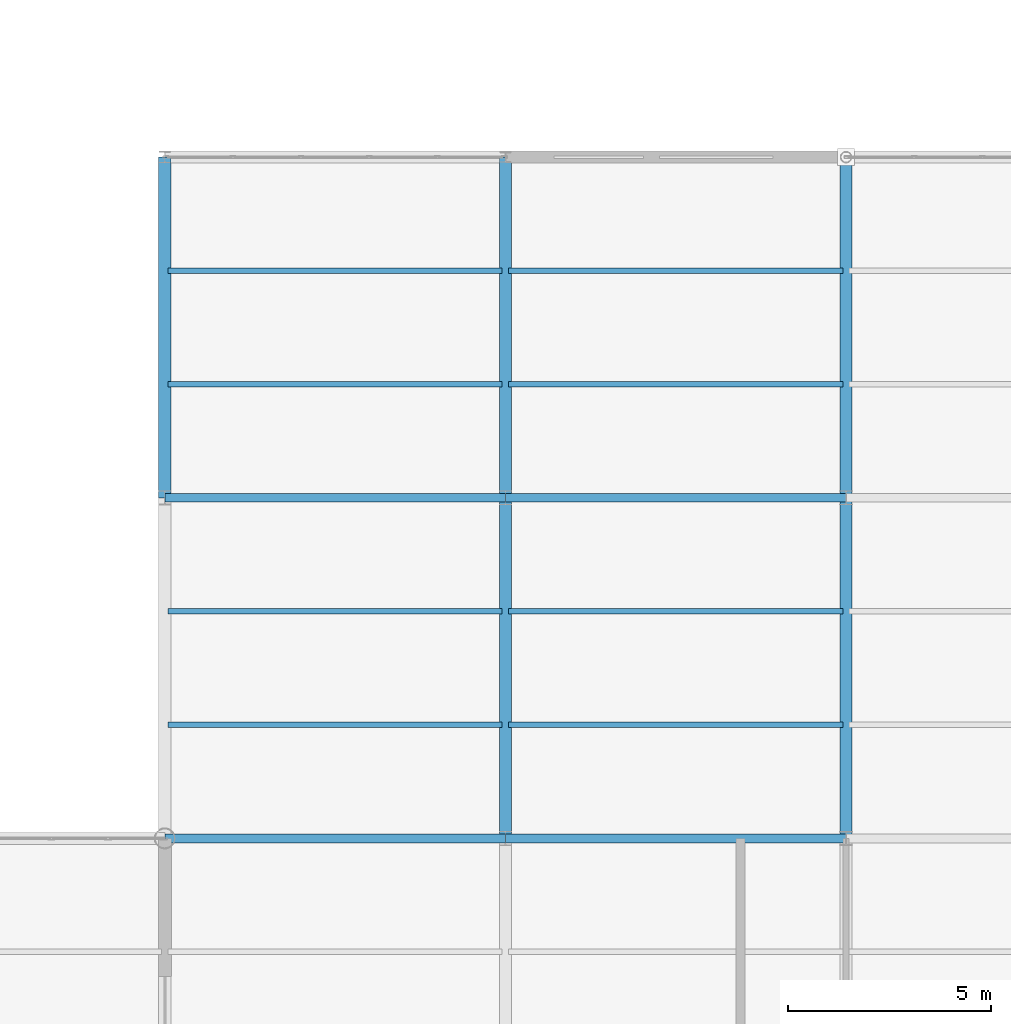
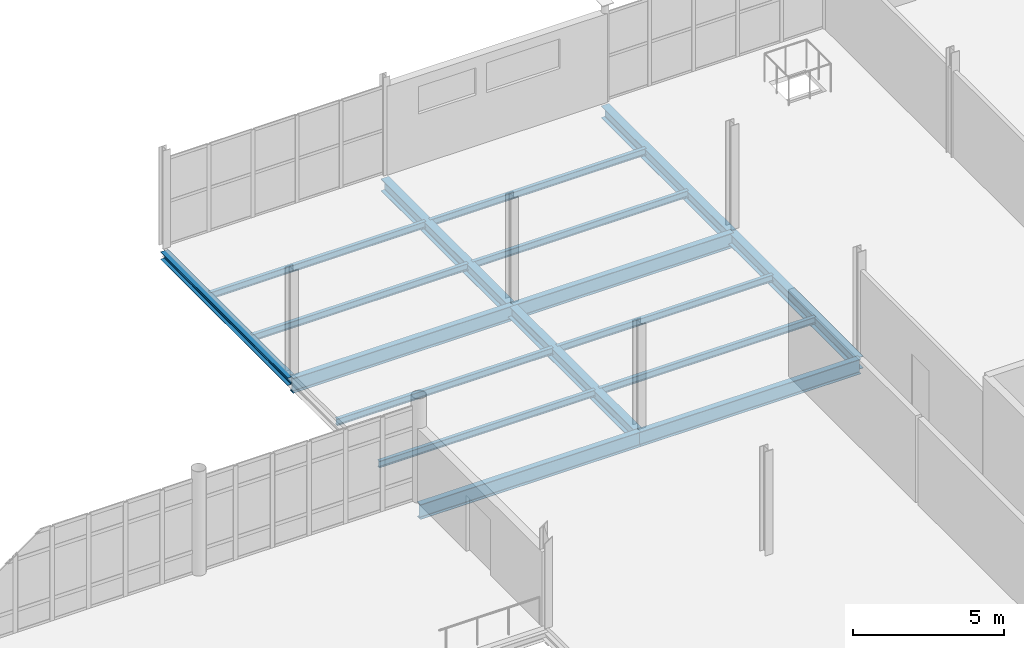
# One storey, part 72 of 163: 17 beams.
"""IFC4 building model written with IfcOpenShell, lengths in metres."""

from ifc_helpers import new_model, si_unit, direction, frame, origin, origin_2d, place, context, subcontext, project, spatial, i_section, extrude, material, material_profile, profile_set, type_object, element, save


model = new_model("IFC4")

# Units and contexts
model_context = context("Model", 3, precision=1e-05, world=origin(), true_north=direction((0.0, 1.0)))
body_context = subcontext(model_context, "Body", "Model", "MODEL_VIEW")
ifc_project = project(units=[si_unit("LENGTHUNIT", "METRE"), si_unit("AREAUNIT", "SQUARE_METRE"), si_unit("VOLUMEUNIT", "CUBIC_METRE"), si_unit("PLANEANGLEUNIT", "RADIAN"), si_unit("MASSUNIT", "GRAM", prefix="KILO")], contexts=[model_context])

# Site, building, storey
site_placement = place(None, origin())
site = spatial("IfcSite", under=ifc_project, at=site_placement, CompositionType="ELEMENT")
building_placement = place(site_placement, origin())
building = spatial("IfcBuilding", under=site, at=building_placement, Name="Qalvenar Corner Mobility Hub", CompositionType="ELEMENT")
storey_placement = place(building_placement, frame((0.0, 0.0, 4.800048828125)))
storey = spatial("IfcBuildingStorey", under=building, at=storey_placement, Name="L01", CompositionType="ELEMENT", Elevation=4.800048828125)

# Beams
ifc_material = material(Name="Steel S355", Category="steel")
ifc_material_profile_1 = material_profile(ifc_material, i_section(OverallWidth=0.300048828125, OverallDepth=0.489990234375, WebThickness=0.011962890625, FlangeThickness=0.02294921875, FilletRadius=0.027099609375, at=origin_2d()), Name="HEA500")
ifc_profile_set_1 = profile_set([ifc_material_profile_1], Name="Steel S355")
beam_type_1 = type_object("IfcBeamType", Name="BM-HEA500", PredefinedType="BEAM", material=ifc_profile_set_1)
for number, where, z_axis, x_axis, name in (
    (1, (117.60009765625, 33.60009765625, -0.425048828125), (0.0, 1.0, 0.0), (-1.0, 0.0, 0.0), "Primary Steel Girder GY-1036"),
    (2, (117.60009765625, 42.0, -0.425048828125), (0.0, 1.0, 0.0), (-1.0, 0.0, 0.0), "Primary Steel Girder GY-1037"),
    (3, (126.0, 33.60009765625, -0.425048828125), (0.0, 1.0, 0.0), (-1.0, 0.0, 0.0), "Primary Steel Girder GY-1042"),
    (4, (126.0, 42.0, -0.425048828125), (0.0, 1.0, 0.0), (-1.0, 0.0, 0.0), "Primary Steel Girder GY-1043"),
):
    element("IfcBeam", number, at=place(storey_placement, frame(where, z_axis=z_axis, x_axis=x_axis)), inside=storey, type_object=beam_type_1, Name=name, PredefinedType="BEAM", context=body_context, shape_type="SweptSolid", body=[
        extrude(i_section(OverallWidth=0.300048828125, OverallDepth=0.489990234375, WebThickness=0.011962890625, FlangeThickness=0.02294921875, FilletRadius=0.027099609375, at=origin_2d()), origin(), (0.0, 0.0, 1.0), 8.39990234375),
    ])
ifc_material_profile_2 = material_profile(ifc_material, i_section(OverallWidth=0.219970703125, OverallDepth=0.60009765625, WebThickness=0.011962890625, FlangeThickness=0.01904296875, FilletRadius=0.02392578125, at=origin_2d()), Name="IPE600")
ifc_profile_set_2 = profile_set([ifc_material_profile_2], Name="Steel S355")
beam_type_2 = type_object("IfcBeamType", Name="BM-IPE600", PredefinedType="BEAM", material=ifc_profile_set_2)
beam_1_placement = place(storey_placement, frame((109.199951171875, 33.60009765625, -0.47998046875), z_axis=(1.0, 0.0, 0.0), x_axis=(0.0, 1.0, 0.0)))
element("IfcBeam", 5, at=beam_1_placement, inside=storey, type_object=beam_type_2, Name="Primary Steel Girder GX-1006", PredefinedType="BEAM", context=body_context, shape_type="SweptSolid", body=[
    extrude(i_section(OverallWidth=0.219970703125, OverallDepth=0.60009765625, WebThickness=0.011962890625, FlangeThickness=0.01904296875, FilletRadius=0.02392578125, at=origin_2d()), origin(), (0.0, 0.0, 1.0), 8.400146484375),
])
beam_2_placement = place(storey_placement, frame((117.60009765625, 33.60009765625, -0.47998046875), z_axis=(1.0, 0.0, 0.0), x_axis=(0.0, 1.0, 0.0)))
element("IfcBeam", 6, at=beam_2_placement, inside=storey, type_object=beam_type_2, Name="Primary Steel Girder GX-1007", PredefinedType="BEAM", context=body_context, shape_type="SweptSolid", body=[
    extrude(i_section(OverallWidth=0.219970703125, OverallDepth=0.60009765625, WebThickness=0.011962890625, FlangeThickness=0.01904296875, FilletRadius=0.02392578125, at=origin_2d()), origin(), (0.0, 0.0, 1.0), 8.39990234375),
])
beam_3_placement = place(storey_placement, frame((109.199951171875, 42.0, -0.47998046875), z_axis=(1.0, 0.0, 0.0), x_axis=(0.0, 1.0, 0.0)))
element("IfcBeam", 7, at=beam_3_placement, inside=storey, type_object=beam_type_2, Name="Primary Steel Girder GX-1013", PredefinedType="BEAM", context=body_context, shape_type="SweptSolid", body=[
    extrude(i_section(OverallWidth=0.219970703125, OverallDepth=0.60009765625, WebThickness=0.011962890625, FlangeThickness=0.01904296875, FilletRadius=0.02392578125, at=origin_2d()), origin(), (0.0, 0.0, 1.0), 8.400146484375),
])
beam_4_placement = place(storey_placement, frame((117.60009765625, 42.0, -0.47998046875), z_axis=(1.0, 0.0, 0.0), x_axis=(0.0, 1.0, 0.0)))
element("IfcBeam", 8, at=beam_4_placement, inside=storey, type_object=beam_type_2, Name="Primary Steel Girder GX-1014", PredefinedType="BEAM", context=body_context, shape_type="SweptSolid", body=[
    extrude(i_section(OverallWidth=0.219970703125, OverallDepth=0.60009765625, WebThickness=0.011962890625, FlangeThickness=0.01904296875, FilletRadius=0.02392578125, at=origin_2d()), origin(), (0.0, 0.0, 1.0), 8.39990234375),
])
ifc_material_profile_3 = material_profile(ifc_material, i_section(OverallWidth=0.135009765625, OverallDepth=0.27001953125, WebThickness=0.006591796875, FlangeThickness=0.01025390625, FilletRadius=0.014892578125, at=origin_2d()), Name="IPE270")
ifc_profile_set_3 = profile_set([ifc_material_profile_3], Name="Steel S355")
beam_type_3 = type_object("IfcBeamType", Name="BM-JST270", PredefinedType="JOIST", material=ifc_profile_set_3)
for number, where, z_axis, x_axis, name in (
    (9, (109.278076171875, 36.39990234375, -0.31494140625), (1.0, 0.0, 0.0), (0.0, 1.0, 0.0), "Composite Floor Joist J-1082"),
    (10, (109.278076171875, 39.199951171875, -0.31494140625), (1.0, 0.0, 0.0), (0.0, 1.0, 0.0), "Composite Floor Joist J-1083"),
    (11, (109.278076171875, 44.800048828125, -0.31494140625), (1.0, 0.0, 0.0), (0.0, 1.0, 0.0), "Composite Floor Joist J-1084"),
    (12, (109.278076171875, 47.60009765625, -0.31494140625), (1.0, 0.0, 0.0), (0.0, 1.0, 0.0), "Composite Floor Joist J-1085"),
):
    element("IfcBeam", number, at=place(storey_placement, frame(where, z_axis=z_axis, x_axis=x_axis)), inside=storey, type_object=beam_type_3, Name=name, PredefinedType="JOIST", context=body_context, shape_type="SweptSolid", body=[
        extrude(i_section(OverallWidth=0.135009765625, OverallDepth=0.27001953125, WebThickness=0.006591796875, FlangeThickness=0.01025390625, FilletRadius=0.014892578125, at=origin_2d()), origin(), (0.0, 0.0, 1.0), 8.243896484375),
    ])
for number, where, z_axis, x_axis, name in (
    (13, (117.677978515625, 36.39990234375, -0.31494140625), (1.0, 0.0, 0.0), (0.0, 1.0, 0.0), "Composite Floor Joist J-1094"),
    (14, (117.677978515625, 39.199951171875, -0.31494140625), (1.0, 0.0, 0.0), (0.0, 1.0, 0.0), "Composite Floor Joist J-1095"),
    (15, (117.677978515625, 44.800048828125, -0.31494140625), (1.0, 0.0, 0.0), (0.0, 1.0, 0.0), "Composite Floor Joist J-1096"),
    (16, (117.677978515625, 47.60009765625, -0.31494140625), (1.0, 0.0, 0.0), (0.0, 1.0, 0.0), "Composite Floor Joist J-1097"),
):
    element("IfcBeam", number, at=place(storey_placement, frame(where, z_axis=z_axis, x_axis=x_axis)), inside=storey, type_object=beam_type_3, Name=name, PredefinedType="JOIST", context=body_context, shape_type="SweptSolid", body=[
        extrude(i_section(OverallWidth=0.135009765625, OverallDepth=0.27001953125, WebThickness=0.006591796875, FlangeThickness=0.01025390625, FilletRadius=0.014892578125, at=origin_2d()), origin(), (0.0, 0.0, 1.0), 8.244140625),
    ])
ifc_material_profile_4 = material_profile(ifc_material, i_section(OverallWidth=0.300048828125, OverallDepth=0.31005859375, WebThickness=0.009033203125, FlangeThickness=0.015380859375, FilletRadius=0.027099609375, at=origin_2d()), Name="HEA320")
ifc_profile_set_4 = profile_set([ifc_material_profile_4], Name="Steel S355")
beam_type_4 = type_object("IfcBeamType", Name="BM-SPN320", PredefinedType="SPANDREL", material=ifc_profile_set_4)
beam_5_placement = place(storey_placement, frame((109.199951171875, 42.0, -0.3349609375), z_axis=(0.0, 1.0, 0.0), x_axis=(-1.0, 0.0, 0.0)))
element("IfcBeam", 17, at=beam_5_placement, inside=storey, type_object=beam_type_4, Name="Primary Steel Girder GY-1031", PredefinedType="SPANDREL", context=body_context, shape_type="SweptSolid", body=[
    extrude(i_section(OverallWidth=0.300048828125, OverallDepth=0.31005859375, WebThickness=0.009033203125, FlangeThickness=0.015380859375, FilletRadius=0.027099609375, at=origin_2d()), origin(), (0.0, 0.0, 1.0), 8.39990234375),
])

save(model, "model.ifc")
